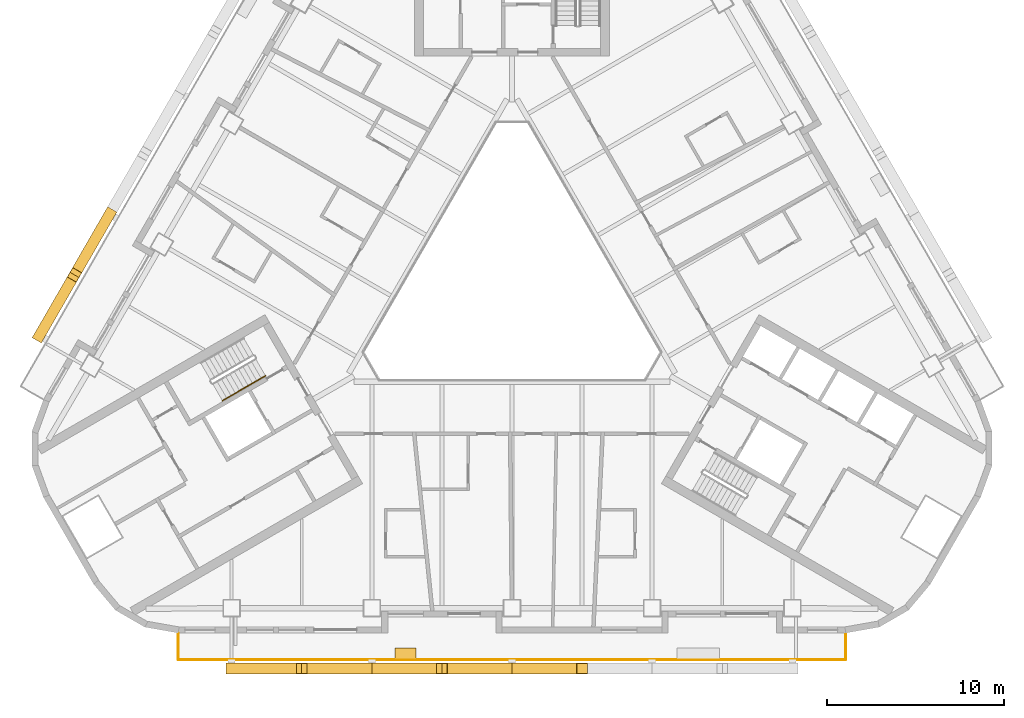
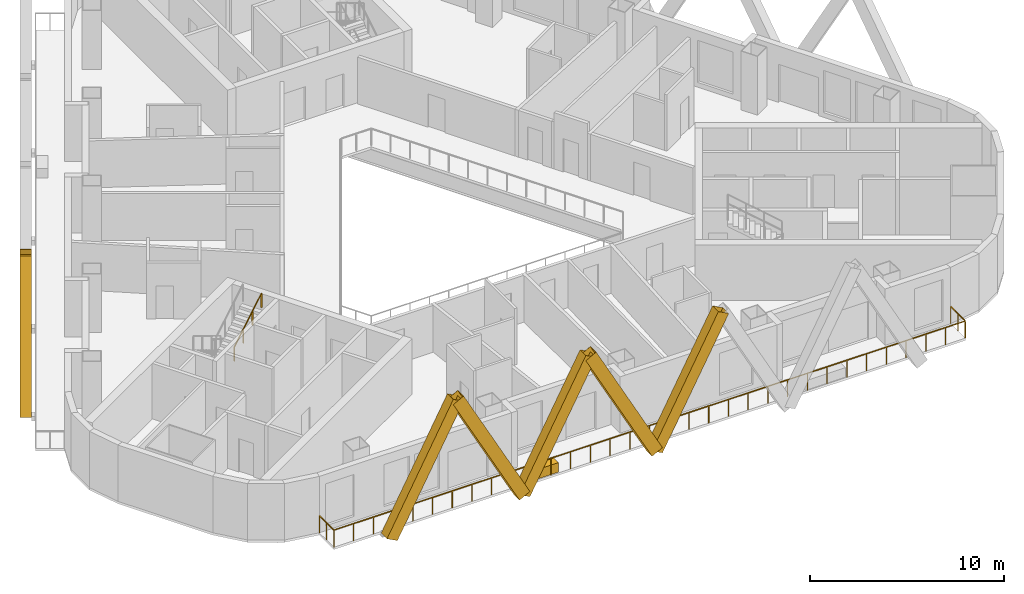
# One storey, part 9 of 14: 7 shading devices, 2 railings, 1 covering.
"""IFC4 building model written with IfcOpenShell, lengths in metres."""

from ifc_helpers import new_model, si_unit, direction, frame, origin, origin_2d, place, context, subcontext, project, spatial, rectangle, hollow_rectangle, circle, extrude, material, material_profile, profile_set, type_object, element, save


model = new_model("IFC4")

# Units and contexts
model_context = context("Model", 3, precision=1e-05, world=origin(), true_north=direction((0.0, 1.0)))
body_context = subcontext(model_context, "Body", "Model", "MODEL_VIEW")
ifc_project = project(units=[si_unit("LENGTHUNIT", "METRE"), si_unit("AREAUNIT", "SQUARE_METRE"), si_unit("VOLUMEUNIT", "CUBIC_METRE"), si_unit("PLANEANGLEUNIT", "RADIAN"), si_unit("MASSUNIT", "GRAM", prefix="KILO")], contexts=[model_context])

# Site, building, storey
site_placement = place(None, origin())
site = spatial("IfcSite", under=ifc_project, at=site_placement, CompositionType="ELEMENT")
building_placement = place(site_placement, origin())
building = spatial("IfcBuilding", under=site, at=building_placement, Name="Apuvela Tower Hotel", CompositionType="ELEMENT")
storey_placement = place(building_placement, frame((0.0, 0.0, 76.10009765625)))
storey = spatial("IfcBuildingStorey", under=building, at=storey_placement, Name="L16", CompositionType="ELEMENT", Elevation=76.10009765625)

# Railing
ifc_material_1 = material(Name="Stainless steel 316 handrail", Category="steel")
railing_type_1 = type_object("IfcRailingType", Name="COR-HANDRAIL-900", PredefinedType="HANDRAIL", material=ifc_material_1)
railing_1_placement = place(storey_placement, frame((-16.31884765625, -6.534912109375, 2.01806640625)))
element("IfcRailing", 1, at=railing_1_placement, inside=storey, type_object=railing_type_1, Name="L16 ST2 stair handrail 2", PredefinedType="HANDRAIL", context=body_context, shape_type="SweptSolid", body=[
    extrude(circle(Radius=0.02392578125, at=origin_2d()), frame((0.0, 0.0, 0.8759765625), z_axis=(0.742390482028, 0.42860119049, 0.514934356695), x_axis=(-0.49998411664, 0.866034573852, 0.0)), (0.0, 0.0, 1.0), 3.26611328125),
    extrude(rectangle(XDim=0.0419921875, YDim=0.0419921875, at=origin_2d()), origin(), (0.0, 0.0, 1.0), 0.851806640625),
    extrude(rectangle(XDim=0.0419921875, YDim=0.0419921875, at=origin_2d()), frame((0.808349609375, 0.466552734375, 0.560546875)), (0.0, 0.0, 1.0), 0.851806640625),
    extrude(rectangle(XDim=0.0419921875, YDim=0.0419921875, at=origin_2d()), frame((1.616455078125, 0.933349609375, 1.121337890625)), (0.0, 0.0, 1.0), 0.851806640625),
    extrude(rectangle(XDim=0.0419921875, YDim=0.0419921875, at=origin_2d()), frame((2.4248046875, 1.39990234375, 1.681884765625)), (0.0, 0.0, 1.0), 0.851806640625),
])

# Shading devices
ifc_material_2 = material(Name="Aluminium 6063-T6, black anodised", Category="aluminium")
ifc_material_profile = material_profile(ifc_material_2, hollow_rectangle(XDim=0.60009765625, YDim=0.699951171875, WallThickness=0.011962890625, at=origin_2d()), Name="AL BOX 700x600x12")
ifc_profile_set = profile_set([ifc_material_profile], Name="Aluminium 6063-T6, black anodised")
shading_device_type = type_object("IfcShadingDeviceType", Name="ENV-FIN-700x600", PredefinedType="USERDEFINED", material=ifc_profile_set)
for number, where, z_axis, x_axis, name in (
    (2, (-15.800048828125, -21.6298828125, -0.10009765625), (0.470897892863, 0.0, 0.882187720668), (0.0, 1.0, 0.0), "Lattice fin S33"),
    (3, (-7.89990234375, -21.6298828125, -0.10009765625), (-0.470920543904, 0.0, 0.882175629526), (0.0, -1.0, 0.0), "Lattice fin S34"),
    (4, (-7.89990234375, -21.6298828125, -0.10009765625), (0.470897892863, 0.0, 0.882187720668), (0.0, 1.0, 0.0), "Lattice fin S35"),
    (5, (0.0, -21.6298828125, -0.10009765625), (-0.470897892863, 0.0, 0.882187720668), (0.0, -1.0, 0.0), "Lattice fin S36"),
    (6, (0.0, -21.6298828125, -0.10009765625), (0.470897892863, 0.0, 0.882187720668), (0.0, 1.0, 0.0), "Lattice fin S37"),
    (7, (-22.68212890625, 3.973388671875, -0.10009765625), (-0.235433593518, -0.407824887177, 0.882184722404), (0.866047669374, -0.499961432884, 0.0), "Lattice fin NW135"),
    (8, (-26.632080078125, -2.8681640625, -0.10009765625), (0.235463880167, 0.407797827568, 0.882189148067), (-0.866005453737, 0.500034552904, 0.0), "Lattice fin NW136"),
):
    element("IfcShadingDevice", number, at=place(storey_placement, frame(where, z_axis=z_axis, x_axis=x_axis)), inside=storey, type_object=shading_device_type, Name=name, ObjectType="FIN", PredefinedType="USERDEFINED", context=body_context, shape_type="SweptSolid", body=[
        extrude(hollow_rectangle(XDim=0.60009765625, YDim=0.699951171875, WallThickness=0.011962890625, at=origin_2d()), origin(), (0.0, 0.0, 1.0), 8.38818359375),
    ])

# Railing
ifc_material_3 = material(Name="Stainless steel 316 rail with laminated glass infill", Category="steel")
railing_type_2 = type_object("IfcRailingType", Name="ENV-GUARD-1100", PredefinedType="GUARDRAIL", material=ifc_material_3)
railing_2_placement = place(storey_placement, frame((-18.81591796875, -19.6298828125, 0.0)))
element("IfcRailing", 9, at=railing_2_placement, inside=storey, type_object=railing_type_2, Name="Balcony guard S L16", PredefinedType="GUARDRAIL", context=body_context, shape_type="SweptSolid", body=[
    extrude(rectangle(XDim=0.050048828125, YDim=0.050048828125, at=origin_2d()), frame((0.0, 0.0, 1.0751953125), z_axis=(0.0, -1.0, 0.0), x_axis=(1.0, 0.0, 0.0)), (0.0, 0.0, 1.0), 1.5),
    extrude(rectangle(XDim=0.050048828125, YDim=0.050048828125, at=origin_2d()), frame((0.0, -1.5, 1.0751953125), z_axis=(1.0, 0.0, 0.0), x_axis=(0.0, 1.0, 0.0)), (0.0, 0.0, 1.0), 37.6318359375),
    extrude(rectangle(XDim=0.050048828125, YDim=0.050048828125, at=origin_2d()), frame((37.6318359375, -1.5, 1.0751953125), z_axis=(0.0, 1.0, 0.0), x_axis=(-1.0, 0.0, 0.0)), (0.0, 0.0, 1.0), 1.5),
    extrude(rectangle(XDim=0.0400390625, YDim=0.0400390625, at=origin_2d()), origin(), (0.0, 0.0, 1.0), 1.050048828125),
    extrude(rectangle(XDim=0.0400390625, YDim=0.0400390625, at=origin_2d()), frame((0.0, -0.75, 0.0)), (0.0, 0.0, 1.0), 1.050048828125),
    extrude(rectangle(XDim=0.0400390625, YDim=0.0400390625, at=origin_2d()), frame((0.0, -1.5, 0.0)), (0.0, 0.0, 1.0), 1.050048828125),
    extrude(rectangle(XDim=0.0400390625, YDim=0.0400390625, at=origin_2d()), frame((1.176025390625, -1.5, 0.0)), (0.0, 0.0, 1.0), 1.050048828125),
    extrude(rectangle(XDim=0.0400390625, YDim=0.0400390625, at=origin_2d()), frame((2.35205078125, -1.5, 0.0)), (0.0, 0.0, 1.0), 1.050048828125),
    extrude(rectangle(XDim=0.0400390625, YDim=0.0400390625, at=origin_2d()), frame((3.528076171875, -1.5, 0.0)), (0.0, 0.0, 1.0), 1.050048828125),
    extrude(rectangle(XDim=0.0400390625, YDim=0.0400390625, at=origin_2d()), frame((4.7041015625, -1.5, 0.0)), (0.0, 0.0, 1.0), 1.050048828125),
    extrude(rectangle(XDim=0.0400390625, YDim=0.0400390625, at=origin_2d()), frame((5.8798828125, -1.5, 0.0)), (0.0, 0.0, 1.0), 1.050048828125),
    extrude(rectangle(XDim=0.0400390625, YDim=0.0400390625, at=origin_2d()), frame((7.055908203125, -1.5, 0.0)), (0.0, 0.0, 1.0), 1.050048828125),
    extrude(rectangle(XDim=0.0400390625, YDim=0.0400390625, at=origin_2d()), frame((8.23193359375, -1.5, 0.0)), (0.0, 0.0, 1.0), 1.050048828125),
    extrude(rectangle(XDim=0.0400390625, YDim=0.0400390625, at=origin_2d()), frame((9.407958984375, -1.5, 0.0)), (0.0, 0.0, 1.0), 1.050048828125),
    extrude(rectangle(XDim=0.0400390625, YDim=0.0400390625, at=origin_2d()), frame((10.583984375, -1.5, 0.0)), (0.0, 0.0, 1.0), 1.050048828125),
    extrude(rectangle(XDim=0.0400390625, YDim=0.0400390625, at=origin_2d()), frame((11.760009765625, -1.5, 0.0)), (0.0, 0.0, 1.0), 1.050048828125),
    extrude(rectangle(XDim=0.0400390625, YDim=0.0400390625, at=origin_2d()), frame((12.93603515625, -1.5, 0.0)), (0.0, 0.0, 1.0), 1.050048828125),
    extrude(rectangle(XDim=0.0400390625, YDim=0.0400390625, at=origin_2d()), frame((14.11181640625, -1.5, 0.0)), (0.0, 0.0, 1.0), 1.050048828125),
    extrude(rectangle(XDim=0.0400390625, YDim=0.0400390625, at=origin_2d()), frame((15.287841796875, -1.5, 0.0)), (0.0, 0.0, 1.0), 1.050048828125),
    extrude(rectangle(XDim=0.0400390625, YDim=0.0400390625, at=origin_2d()), frame((16.4638671875, -1.5, 0.0)), (0.0, 0.0, 1.0), 1.050048828125),
    extrude(rectangle(XDim=0.0400390625, YDim=0.0400390625, at=origin_2d()), frame((17.639892578125, -1.5, 0.0)), (0.0, 0.0, 1.0), 1.050048828125),
    extrude(rectangle(XDim=0.0400390625, YDim=0.0400390625, at=origin_2d()), frame((18.81591796875, -1.5, 0.0)), (0.0, 0.0, 1.0), 1.050048828125),
    extrude(rectangle(XDim=0.0400390625, YDim=0.0400390625, at=origin_2d()), frame((19.991943359375, -1.5, 0.0)), (0.0, 0.0, 1.0), 1.050048828125),
    extrude(rectangle(XDim=0.0400390625, YDim=0.0400390625, at=origin_2d()), frame((21.16796875, -1.5, 0.0)), (0.0, 0.0, 1.0), 1.050048828125),
    extrude(rectangle(XDim=0.0400390625, YDim=0.0400390625, at=origin_2d()), frame((22.343994140625, -1.5, 0.0)), (0.0, 0.0, 1.0), 1.050048828125),
    extrude(rectangle(XDim=0.0400390625, YDim=0.0400390625, at=origin_2d()), frame((23.52001953125, -1.5, 0.0)), (0.0, 0.0, 1.0), 1.050048828125),
    extrude(rectangle(XDim=0.0400390625, YDim=0.0400390625, at=origin_2d()), frame((24.69580078125, -1.5, 0.0)), (0.0, 0.0, 1.0), 1.050048828125),
    extrude(rectangle(XDim=0.0400390625, YDim=0.0400390625, at=origin_2d()), frame((25.871826171875, -1.5, 0.0)), (0.0, 0.0, 1.0), 1.050048828125),
    extrude(rectangle(XDim=0.0400390625, YDim=0.0400390625, at=origin_2d()), frame((27.0478515625, -1.5, 0.0)), (0.0, 0.0, 1.0), 1.050048828125),
    extrude(rectangle(XDim=0.0400390625, YDim=0.0400390625, at=origin_2d()), frame((28.223876953125, -1.5, 0.0)), (0.0, 0.0, 1.0), 1.050048828125),
    extrude(rectangle(XDim=0.0400390625, YDim=0.0400390625, at=origin_2d()), frame((29.39990234375, -1.5, 0.0)), (0.0, 0.0, 1.0), 1.050048828125),
    extrude(rectangle(XDim=0.0400390625, YDim=0.0400390625, at=origin_2d()), frame((30.575927734375, -1.5, 0.0)), (0.0, 0.0, 1.0), 1.050048828125),
    extrude(rectangle(XDim=0.0400390625, YDim=0.0400390625, at=origin_2d()), frame((31.751953125, -1.5, 0.0)), (0.0, 0.0, 1.0), 1.050048828125),
    extrude(rectangle(XDim=0.0400390625, YDim=0.0400390625, at=origin_2d()), frame((32.927734375, -1.5, 0.0)), (0.0, 0.0, 1.0), 1.050048828125),
    extrude(rectangle(XDim=0.0400390625, YDim=0.0400390625, at=origin_2d()), frame((34.103759765625, -1.5, 0.0)), (0.0, 0.0, 1.0), 1.050048828125),
    extrude(rectangle(XDim=0.0400390625, YDim=0.0400390625, at=origin_2d()), frame((35.27978515625, -1.5, 0.0)), (0.0, 0.0, 1.0), 1.050048828125),
    extrude(rectangle(XDim=0.0400390625, YDim=0.0400390625, at=origin_2d()), frame((36.455810546875, -1.5, 0.0)), (0.0, 0.0, 1.0), 1.050048828125),
    extrude(rectangle(XDim=0.0400390625, YDim=0.0400390625, at=origin_2d()), frame((37.6318359375, -1.5, 0.0)), (0.0, 0.0, 1.0), 1.050048828125),
    extrude(rectangle(XDim=0.0400390625, YDim=0.0400390625, at=origin_2d()), frame((37.6318359375, -0.75, 0.0)), (0.0, 0.0, 1.0), 1.050048828125),
    extrude(rectangle(XDim=0.0400390625, YDim=0.0400390625, at=origin_2d()), frame((37.6318359375, 0.0, 0.0)), (0.0, 0.0, 1.0), 1.050048828125),
])

# Covering
ifc_material_4 = material(Name="Planting substrate and soil, planted")
covering_type = type_object("IfcCoveringType", Name="ENV-PLANTER-1200x600", PredefinedType="USERDEFINED", material=ifc_material_4)
covering_placement = place(storey_placement, frame((-5.99951171875, -20.780029296875, -0.000244140625), z_axis=(0.0, 0.0, 1.0), x_axis=(1.0, 0.0, 0.0)))
element("IfcCovering", 10, at=covering_placement, inside=storey, type_object=covering_type, Name="Planter S1", ObjectType="PLANTER", PredefinedType="USERDEFINED", context=body_context, shape_type="SweptSolid", body=[
    extrude(rectangle(XDim=1.199951171875, YDim=0.60009765625, at=origin_2d()), origin(), (0.0, 0.0, 1.0), 0.60009765625),
])

save(model, "model.ifc")
